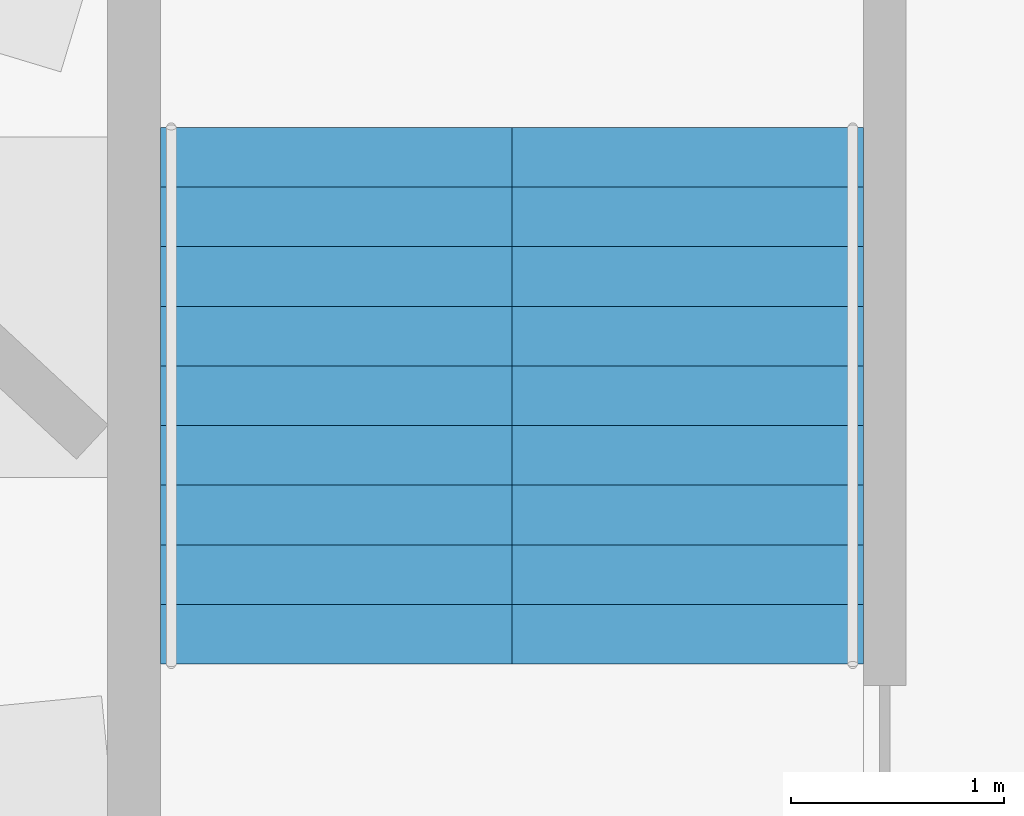
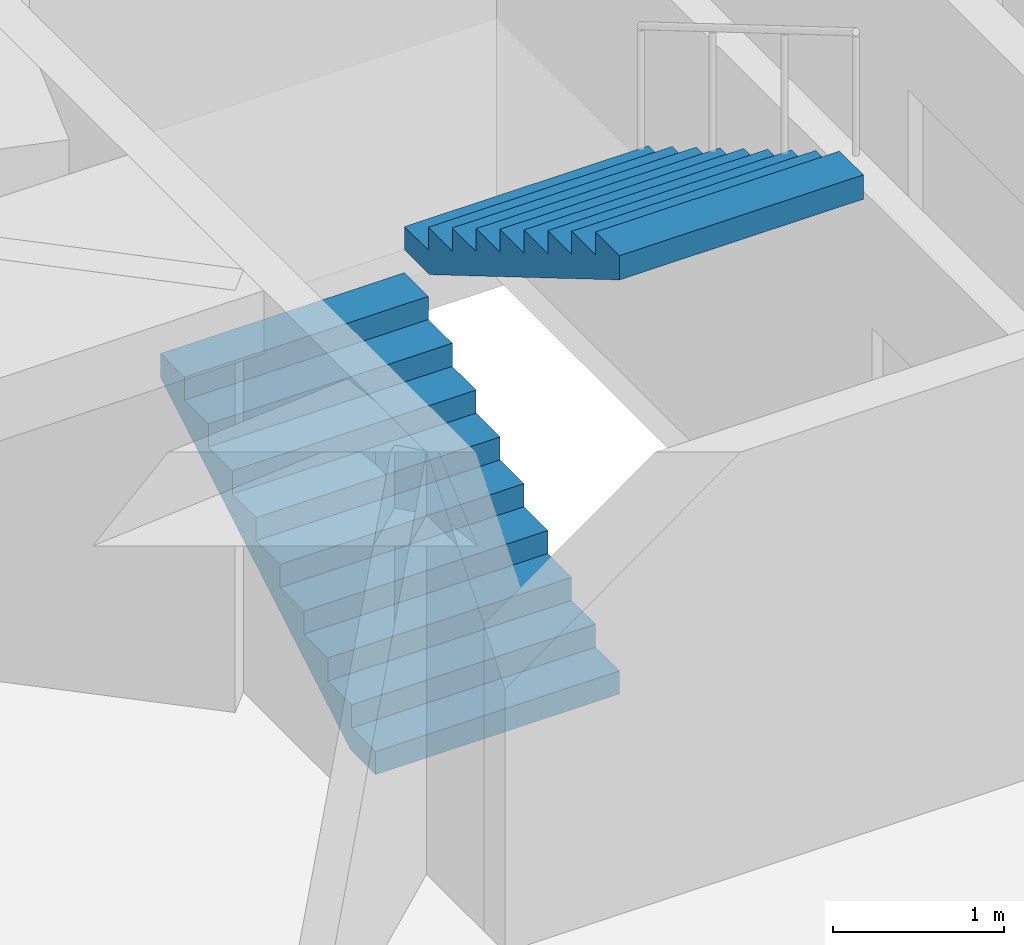
# One storey, part 9 of 12: 2 stair flights, 1 element without a shape of its own.
"""IFC4 building model written with IfcOpenShell, lengths in metres."""

from ifc_helpers import new_model, si_unit, direction, frame, origin, place, context, subcontext, project, spatial, polyline, outline, extrude, material, type_object, element, aggregate, save


model = new_model("IFC4")

# Units and contexts
model_context = context("Model", 3, precision=1e-05, world=origin(), true_north=direction((0.0, 1.0)))
body_context = subcontext(model_context, "Body", "Model", "MODEL_VIEW")
ifc_project = project(units=[si_unit("LENGTHUNIT", "METRE"), si_unit("AREAUNIT", "SQUARE_METRE"), si_unit("VOLUMEUNIT", "CUBIC_METRE"), si_unit("PLANEANGLEUNIT", "RADIAN"), si_unit("MASSUNIT", "GRAM", prefix="KILO")], contexts=[model_context])

# Site, building, storey
site_placement = place(None, origin())
site = spatial("IfcSite", under=ifc_project, at=site_placement, CompositionType="ELEMENT")
building_placement = place(site_placement, origin())
building = spatial("IfcBuilding", under=site, at=building_placement, Name="Taillehof Tower", CompositionType="ELEMENT")
storey_placement = place(building_placement, frame((0.0, 0.0, 253.10009765625)))
storey = spatial("IfcBuildingStorey", under=building, at=storey_placement, Name="L72", CompositionType="ELEMENT", Elevation=253.10009765625)

# Stair, stair flights
ifc_material_1 = material(Name="Concrete C40/50", Category="concrete")
stair_type = type_object("IfcStairType", Name="Exit stair half-turn", PredefinedType="HALF_TURN_STAIR", material=ifc_material_1)
stair_placement = place(storey_placement, origin())
stair = element("IfcStair", 1, at=stair_placement, inside=storey, type_object=stair_type, Name="Exit stair S3", PredefinedType="HALF_TURN_STAIR")
ifc_material_2 = material(Name="Concrete C40/50", Category="concrete")
stair_flight_type = type_object("IfcStairFlightType", Name="Stair flight 1650 riser 165.0 going 280", PredefinedType="STRAIGHT", material=ifc_material_2)
stair_flight_1_placement = place(storey_placement, frame((-13.425048828125, 9.449951171875, 0.0), z_axis=(0.0, 0.0, 1.0), x_axis=(0.0, 1.0, 0.0)))
stair_flight_1 = element("IfcStairFlight", 2, at=stair_flight_1_placement, type_object=stair_flight_type, Name="S3 flight 1", NumberOfRisers=10, NumberOfTreads=9, PredefinedType="STRAIGHT", RiserHeight=0.165, TreadLength=0.28, context=body_context, shape_type="SweptSolid", body=[
    extrude(outline(polyline([(0.0, 0.0), (0.0, 0.00537109375), (0.0, 0.0107421875), (0.0, 0.015869140625), (0.0, 0.021240234375), (0.0, 0.026611328125), (0.0, 0.031982421875), (0.0, 0.037353515625), (0.0, 0.04248046875), (0.0, 0.0478515625), (0.0, 0.05322265625), (0.0, 0.05859375), (0.0, 0.06396484375), (0.0, 0.069091796875), (0.0, 0.074462890625), (0.0, 0.079833984375), (0.0, 0.085205078125), (0.0, 0.090576171875), (0.0, 0.095703125), (0.0, 0.10107421875), (0.0, 0.1064453125), (0.0, 0.11181640625), (0.0, 0.1171875), (0.0, 0.122314453125), (0.0, 0.127685546875), (0.0, 0.133056640625), (0.0, 0.138427734375), (0.0, 0.143798828125), (0.0, 0.14892578125), (0.0, 0.154296875), (0.0, 0.15966796875), (0.0, 0.1650390625), (0.280029296875, 0.1650390625), (0.280029296875, 0.330078125), (0.56005859375, 0.330078125), (0.56005859375, 0.4951171875), (0.840087890625, 0.4951171875), (0.840087890625, 0.659912109375), (1.1201171875, 0.659912109375), (1.1201171875, 0.824951171875), (1.39990234375, 0.824951171875), (1.39990234375, 0.989990234375), (1.679931640625, 0.989990234375), (1.679931640625, 1.155029296875), (1.9599609375, 1.155029296875), (1.9599609375, 1.320068359375), (2.239990234375, 1.320068359375), (2.239990234375, 1.485107421875), (2.52001953125, 1.485107421875), (2.52001953125, 1.4794921875), (2.52001953125, 1.473876953125), (2.52001953125, 1.46826171875), (2.52001953125, 1.462646484375), (2.52001953125, 1.45703125), (2.52001953125, 1.451416015625), (2.52001953125, 1.44580078125), (2.52001953125, 1.440185546875), (2.52001953125, 1.4345703125), (2.52001953125, 1.428955078125), (2.52001953125, 1.42333984375), (2.52001953125, 1.417724609375), (2.52001953125, 1.412109375), (2.52001953125, 1.406494140625), (2.52001953125, 1.40087890625), (2.52001953125, 1.395263671875), (2.52001953125, 1.3896484375), (2.52001953125, 1.384033203125), (2.52001953125, 1.37841796875), (2.52001953125, 1.372802734375), (2.52001953125, 1.3671875), (2.52001953125, 1.361572265625), (2.52001953125, 1.35595703125), (2.52001953125, 1.350341796875), (2.52001953125, 1.3447265625), (2.52001953125, 1.339111328125), (2.52001953125, 1.33349609375), (2.52001953125, 1.327880859375), (2.52001953125, 1.322265625), (2.52001953125, 1.316650390625), (2.52001953125, 1.31103515625), (0.295166015625, 0.0), (0.0, 0.0)])), frame((0.0, 0.824951171875, 0.0), z_axis=(0.0, -1.0, 0.0), x_axis=(1.0, 0.0, 0.0)), (0.0, 0.0, 1.0), 1.65),
])
stair_flight_2_placement = place(storey_placement, frame((-11.77490234375, 11.969970703125, 1.64990234375), z_axis=(0.0, 0.0, 1.0), x_axis=(0.0, -1.0, 0.0)))
stair_flight_2 = element("IfcStairFlight", 3, at=stair_flight_2_placement, type_object=stair_flight_type, Name="S3 flight 2", NumberOfRisers=10, NumberOfTreads=9, PredefinedType="STRAIGHT", RiserHeight=0.165, TreadLength=0.28, context=body_context, shape_type="SweptSolid", body=[
    extrude(outline(polyline([(0.0, 0.0), (0.0, 0.00537109375), (0.0, 0.0107421875), (0.0, 0.015869140625), (0.0, 0.021240234375), (0.0, 0.026611328125), (0.0, 0.031982421875), (0.0, 0.037353515625), (0.0, 0.04248046875), (0.0, 0.0478515625), (0.0, 0.05322265625), (0.0, 0.05859375), (0.0, 0.06396484375), (0.0, 0.069091796875), (0.0, 0.074462890625), (0.0, 0.079833984375), (0.0, 0.085205078125), (0.0, 0.090576171875), (0.0, 0.095703125), (0.0, 0.10107421875), (0.0, 0.1064453125), (0.0, 0.11181640625), (0.0, 0.1171875), (0.0, 0.122314453125), (0.0, 0.127685546875), (0.0, 0.133056640625), (0.0, 0.138427734375), (0.0, 0.143798828125), (0.0, 0.14892578125), (0.0, 0.154296875), (0.0, 0.15966796875), (0.0, 0.1650390625), (0.280029296875, 0.1650390625), (0.280029296875, 0.330078125), (0.56005859375, 0.330078125), (0.56005859375, 0.4951171875), (0.840087890625, 0.4951171875), (0.840087890625, 0.659912109375), (1.1201171875, 0.659912109375), (1.1201171875, 0.824951171875), (1.39990234375, 0.824951171875), (1.39990234375, 0.989990234375), (1.679931640625, 0.989990234375), (1.679931640625, 1.155029296875), (1.9599609375, 1.155029296875), (1.9599609375, 1.320068359375), (2.239990234375, 1.320068359375), (2.239990234375, 1.485107421875), (2.52001953125, 1.485107421875), (2.52001953125, 1.4794921875), (2.52001953125, 1.473876953125), (2.52001953125, 1.46826171875), (2.52001953125, 1.462646484375), (2.52001953125, 1.45703125), (2.52001953125, 1.451416015625), (2.52001953125, 1.44580078125), (2.52001953125, 1.440185546875), (2.52001953125, 1.4345703125), (2.52001953125, 1.428955078125), (2.52001953125, 1.42333984375), (2.52001953125, 1.417724609375), (2.52001953125, 1.412109375), (2.52001953125, 1.406494140625), (2.52001953125, 1.40087890625), (2.52001953125, 1.395263671875), (2.52001953125, 1.3896484375), (2.52001953125, 1.384033203125), (2.52001953125, 1.37841796875), (2.52001953125, 1.372802734375), (2.52001953125, 1.3671875), (2.52001953125, 1.361572265625), (2.52001953125, 1.35595703125), (2.52001953125, 1.350341796875), (2.52001953125, 1.3447265625), (2.52001953125, 1.339111328125), (2.52001953125, 1.33349609375), (2.52001953125, 1.327880859375), (2.52001953125, 1.322265625), (2.52001953125, 1.316650390625), (2.52001953125, 1.31103515625), (0.295166015625, 0.0), (0.0, 0.0)])), frame((0.0, 0.824951171875, 0.0), z_axis=(0.0, -1.0, 0.0), x_axis=(1.0, 0.0, 0.0)), (0.0, 0.0, 1.0), 1.65),
])
aggregate(stair, [stair_flight_1, stair_flight_2])

save(model, "model.ifc")
